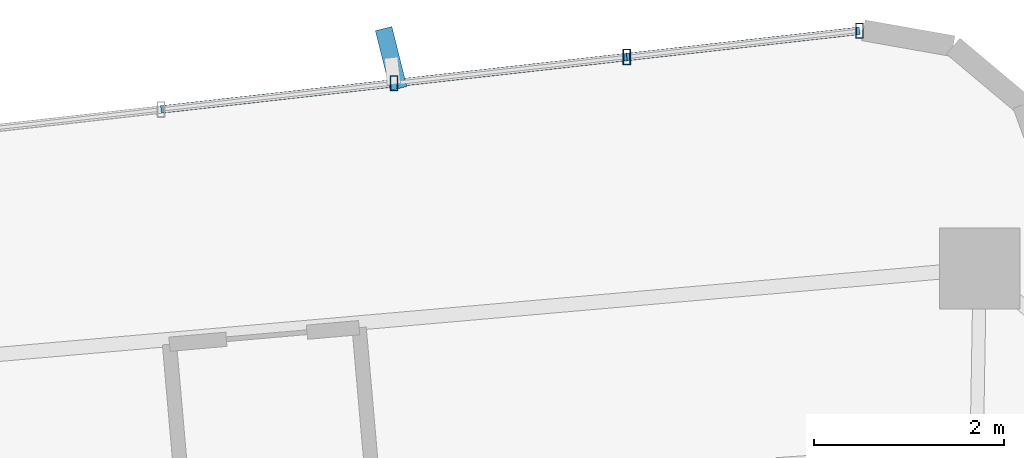
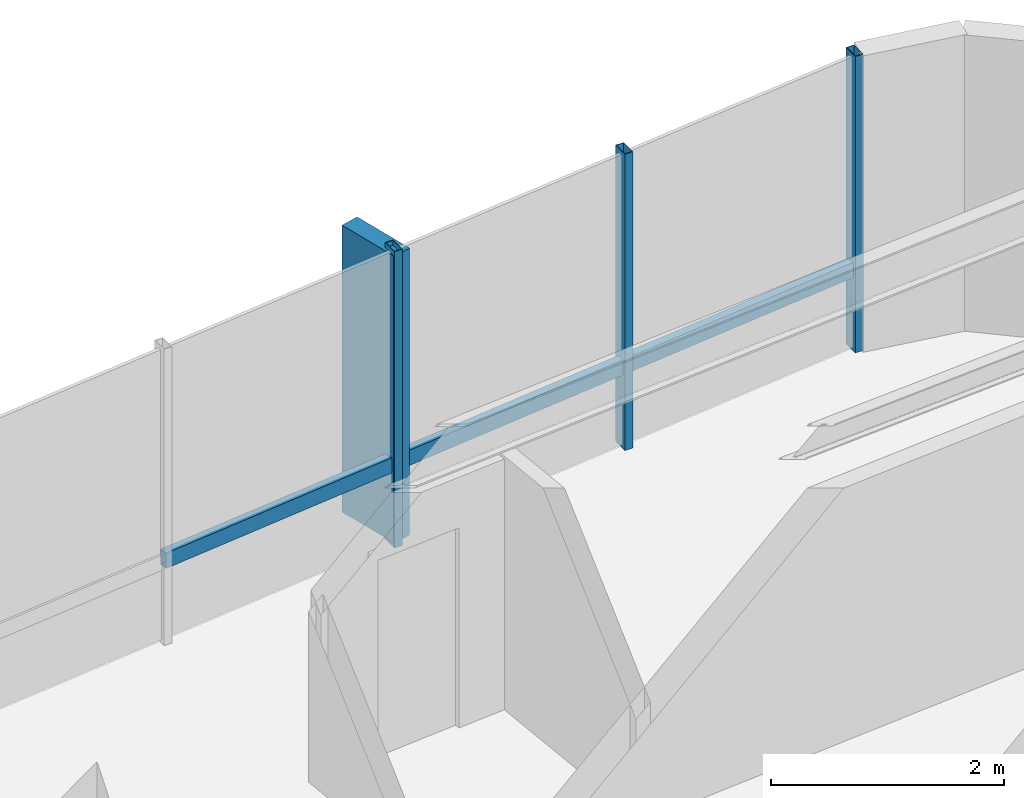
# One storey, part 18 of 24: 7 members, 1 element without a shape of its own.
"""IFC4 building model written with IfcOpenShell, lengths in metres."""

from ifc_helpers import new_model, si_unit, direction, frame, origin, origin_2d, place, context, subcontext, project, spatial, rectangle, hollow_rectangle, extrude, source, transform, mapped, material, material_profile, profile_set, type_object, element, aggregate, save


model = new_model("IFC4")

# Units and contexts
model_context = context("Model", 3, precision=1e-05, world=origin(), true_north=direction((0.0, 1.0)))
body_context = subcontext(model_context, "Body", "Model", "MODEL_VIEW")
ifc_project = project(units=[si_unit("LENGTHUNIT", "METRE"), si_unit("AREAUNIT", "SQUARE_METRE"), si_unit("VOLUMEUNIT", "CUBIC_METRE"), si_unit("PLANEANGLEUNIT", "RADIAN"), si_unit("MASSUNIT", "GRAM", prefix="KILO")], contexts=[model_context])

# Site, building, storey
site_placement = place(None, origin())
site = spatial("IfcSite", under=ifc_project, at=site_placement, CompositionType="ELEMENT")
building_placement = place(site_placement, origin())
building = spatial("IfcBuilding", under=site, at=building_placement, Name="Sahyath Konkavel Grand Hotel", CompositionType="ELEMENT")
storey_placement = place(building_placement, frame((0.0, 0.0, 175.199951171875)))
storey = spatial("IfcBuildingStorey", under=building, at=storey_placement, Name="L48", CompositionType="ELEMENT", Elevation=175.199951171875)

# Curtain wall, members
ifc_material_1 = material(Name="Anodised Bronze Aluminium & Low-E Glazing", Category="aluminium")
curtain_wall_type = type_object("IfcCurtainWallType", Name="CW-ZONE3", PredefinedType="NOTDEFINED", material=ifc_material_1)
curtain_wall_placement = place(storey_placement, origin())
curtain_wall = element("IfcCurtainWall", 1, at=curtain_wall_placement, inside=storey, type_object=curtain_wall_type, Name="L48 Unitised Curtain Wall F12", PredefinedType="NOTDEFINED")
ifc_material_2 = material(Name="Warm Buff Sandstone Cladding on Concrete C50/60", Category="masonry")
ifc_material_profile_1 = material_profile(ifc_material_2, rectangle(XDim=0.179931640625, YDim=0.64990234375, at=origin_2d()), Name="FIN 180x650")
ifc_profile_set_1 = profile_set([ifc_material_profile_1], Name="Warm Buff Sandstone Cladding on Concrete C50/60")
member_type_1 = type_object("IfcMemberType", Name="FIN-SANDSTONE-650", PredefinedType="MULLION", material=ifc_profile_set_1)
shared_shape_1 = source(origin(), body_context, "Body", "SweptSolid", [
    extrude(rectangle(XDim=0.179931640625, YDim=0.64990234375, at=origin_2d()), origin(), (0.0, 0.0, 1.0), 3.010009765625),
])
member_1_placement = place(storey_placement, frame((-2.248291015625, 20.3173828125, 0.050048828125), z_axis=(0.0, 0.0, 1.0), x_axis=(0.970084240161, 0.242768546132, 0.0)))
member_1 = element("IfcMember", 2, at=member_1_placement, type_object=member_type_1, Name="L48 Sandstone Vertical Solar Fin FIN F12-2", PredefinedType="MULLION", context=body_context, shape_type="MappedRepresentation", body=[
    mapped(shared_shape_1, transform((0.0, 0.0, 0.0), scale=1.0)),
])
ifc_material_3 = material(Name="Anodised Bronze Aluminium", Category="aluminium")
ifc_material_profile_2 = material_profile(ifc_material_3, hollow_rectangle(XDim=0.080078125, YDim=0.159912109375, WallThickness=0.006103515625, at=origin_2d()), Name="RHS 160x80x6")
ifc_profile_set_2 = profile_set([ifc_material_profile_2], Name="Anodised Bronze Aluminium")
member_type_2 = type_object("IfcMemberType", Name="CW-MUL-160", PredefinedType="MULLION", material=ifc_profile_set_2)
shared_shape_2 = source(origin(), body_context, "Body", "SweptSolid", [
    extrude(hollow_rectangle(XDim=0.080078125, YDim=0.159912109375, WallThickness=0.006103515625, at=origin_2d()), origin(), (0.0, 0.0, 1.0), 3.110107421875),
])
member_2_placement = place(storey_placement, frame((2.673828125, 20.610595703125, 0.0), z_axis=(0.0, 0.0, 1.0), x_axis=(1.0, 0.0, 0.0)))
member_2 = element("IfcMember", 3, at=member_2_placement, type_object=member_type_2, Name="L48 Curtain Wall Mullion F12-0", PredefinedType="MULLION", context=body_context, shape_type="MappedRepresentation", body=[
    mapped(shared_shape_2, transform((0.0, 0.0, 0.0), scale=1.0)),
])
member_3_placement = place(storey_placement, frame((0.227294921875, 20.334716796875, 0.0), z_axis=(0.0, 0.0, 1.0), x_axis=(1.0, 0.0, 0.0)))
member_3 = element("IfcMember", 4, at=member_3_placement, type_object=member_type_2, Name="L48 Curtain Wall Mullion F12-1", PredefinedType="MULLION", context=body_context, shape_type="MappedRepresentation", body=[
    mapped(shared_shape_2, transform((0.0, 0.0, 0.0), scale=1.0)),
])
member_4_placement = place(storey_placement, frame((-2.21923828125, 20.05908203125, 0.0), z_axis=(0.0, 0.0, 1.0), x_axis=(1.0, 0.0, 0.0)))
member_4 = element("IfcMember", 5, at=member_4_placement, type_object=member_type_2, Name="L48 Curtain Wall Mullion F12-2", PredefinedType="MULLION", context=body_context, shape_type="MappedRepresentation", body=[
    mapped(shared_shape_2, transform((0.0, 0.0, 0.0), scale=1.0)),
])
ifc_material_profile_3 = material_profile(ifc_material_3, hollow_rectangle(XDim=0.080078125, YDim=0.159912109375, WallThickness=0.006103515625, at=origin_2d()), Name="RHS 160x80x6")
ifc_profile_set_3 = profile_set([ifc_material_profile_3], Name="Anodised Bronze Aluminium")
member_type_3 = type_object("IfcMemberType", Name="CW-TRN-160", PredefinedType="USERDEFINED", material=ifc_profile_set_3)
shared_shape_3 = source(origin(), body_context, "Body", "SweptSolid", [
    extrude(hollow_rectangle(XDim=0.080078125, YDim=0.159912109375, WallThickness=0.006103515625, at=origin_2d()), origin(), (0.0, 0.0, 1.0), 2.462158203125),
])
member_5_placement = place(storey_placement, frame((2.673828125, 20.610595703125, 0.85009765625), z_axis=(-0.99370222711, -0.112053040279, 0.0), x_axis=(0.112053040279, -0.99370222711, 0.0)))
member_5 = element("IfcMember", 6, at=member_5_placement, type_object=member_type_3, Name="L48 Curtain Wall Transom F12-0-spandrel", ObjectType="TRANSOM", PredefinedType="USERDEFINED", context=body_context, shape_type="MappedRepresentation", body=[
    mapped(shared_shape_3, transform((0.0, 0.0, 0.0), scale=1.0)),
])
member_6_placement = place(storey_placement, frame((-2.21923828125, 20.05908203125, 0.85009765625), z_axis=(-0.99370222711, -0.112053040279, 0.0), x_axis=(0.112053040279, -0.99370222711, 0.0)))
member_6 = element("IfcMember", 7, at=member_6_placement, type_object=member_type_3, Name="L48 Curtain Wall Transom F12-2-spandrel", ObjectType="TRANSOM", PredefinedType="USERDEFINED", context=body_context, shape_type="MappedRepresentation", body=[
    mapped(shared_shape_3, transform((0.0, 0.0, 0.0), scale=1.0)),
])
shared_shape_4 = source(origin(), body_context, "Body", "SweptSolid", [
    extrude(hollow_rectangle(XDim=0.080078125, YDim=0.159912109375, WallThickness=0.006103515625, at=origin_2d()), origin(), (0.0, 0.0, 1.0), 2.4619140625),
])
member_7_placement = place(storey_placement, frame((0.227294921875, 20.334716796875, 0.85009765625), z_axis=(-0.993713263833, -0.111955121731, 0.0), x_axis=(0.111955121731, -0.993713263833, 0.0)))
member_7 = element("IfcMember", 8, at=member_7_placement, type_object=member_type_3, Name="L48 Curtain Wall Transom F12-1-spandrel", ObjectType="TRANSOM", PredefinedType="USERDEFINED", context=body_context, shape_type="MappedRepresentation", body=[
    mapped(shared_shape_4, transform((0.0, 0.0, 0.0), scale=1.0)),
])
aggregate(curtain_wall, [member_2, member_3, member_4, member_1, member_5, member_7, member_6])

save(model, "model.ifc")
